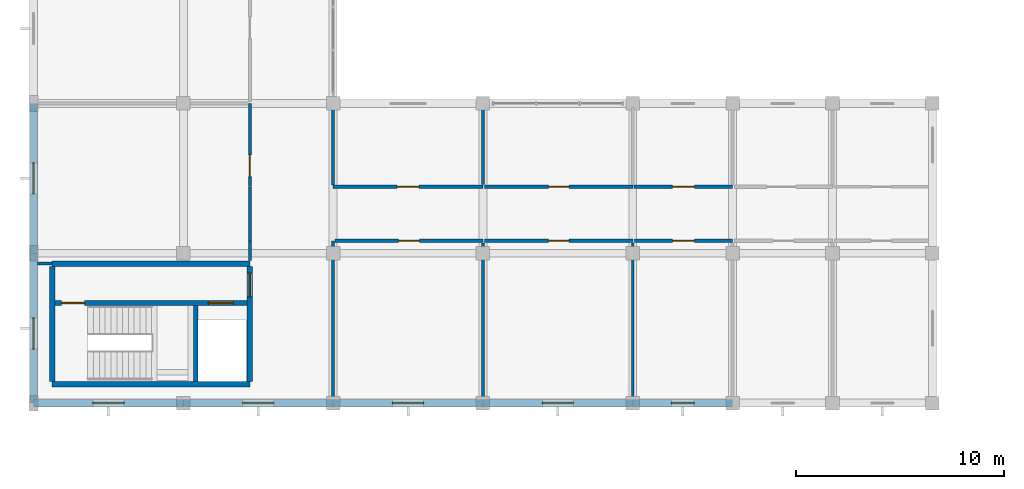
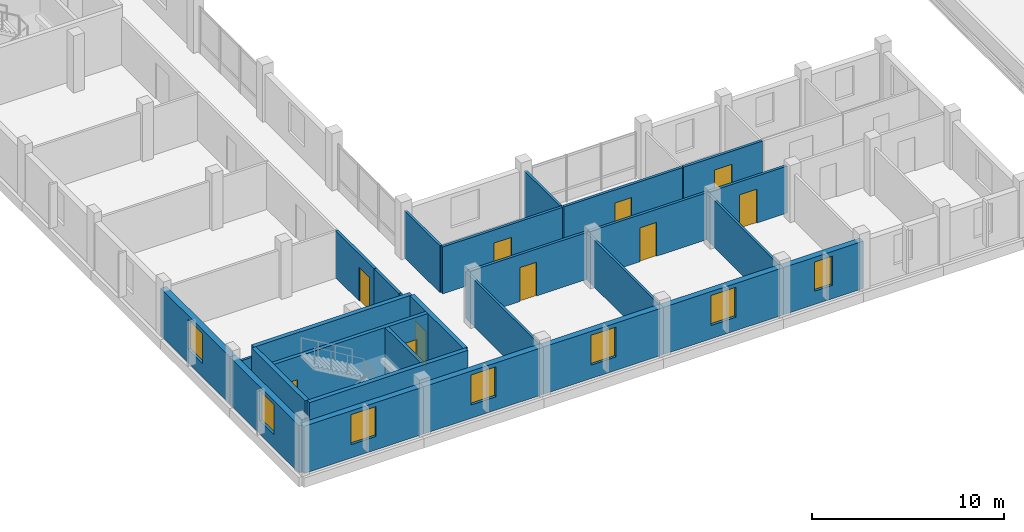
# One storey, part 71 of 93: 28 walls, 10 doors, 7 windows, 17 openings.
"""IFC4 building model written with IfcOpenShell, lengths in metres."""

from ifc_helpers import new_model, si_unit, direction, frame, frame_2d, origin, origin_with_axes, place, context, subcontext, project, spatial, rectangle, extrude, material, layer, layer_set, type_object, element, fill, save


model = new_model("IFC4")

# Units and contexts
model_context = context("Model", 3, precision=1e-05, world=origin(), true_north=direction((0.0, 1.0)))
body_context = subcontext(model_context, "Body", "Model", "MODEL_VIEW")
ifc_project = project(units=[si_unit("LENGTHUNIT", "METRE"), si_unit("AREAUNIT", "SQUARE_METRE"), si_unit("VOLUMEUNIT", "CUBIC_METRE"), si_unit("PLANEANGLEUNIT", "RADIAN"), si_unit("MASSUNIT", "GRAM", prefix="KILO")], contexts=[model_context])

# Site, building, storey
site_placement = place(None, origin())
site = spatial("IfcSite", under=ifc_project, at=site_placement, CompositionType="ELEMENT")
building_placement = place(site_placement, origin())
building = spatial("IfcBuilding", under=site, at=building_placement, Name="Zornivar Specialist Clinic", CompositionType="ELEMENT")
storey_placement = place(building_placement, frame((0.0, 0.0, 8.39990234375)))
storey = spatial("IfcBuildingStorey", under=building, at=storey_placement, Name="L02", CompositionType="ELEMENT", Elevation=8.39990234375)

# Wall, opening, window
ifc_material_1 = material(Name="Masonry Red-Ochre Brick and Stone Insulated Wall", Category="masonry")
ifc_layer_1 = layer(ifc_material_1, 0.360107421875)
ifc_layer_set_1 = layer_set([ifc_layer_1], Name="Masonry Red-Ochre Brick and Stone Insulated Wall")
wall_type_1 = type_object("IfcWallType", Name="EW-BRICK-360", PredefinedType="SOLIDWALL", material=ifc_layer_set_1)
wall_1_placement = place(storey_placement, origin_with_axes())
wall_1 = element("IfcWall", 1, at=wall_1_placement, inside=storey, type_object=wall_type_1, Name="ew:V2:L02:00", PredefinedType="SOLIDWALL", context=body_context, shape_type="SweptSolid", body=[
    extrude(rectangle(XDim=7.199951171875, YDim=0.360107421875, at=frame_2d((3.60009765625, 0.0))), origin(), (0.0, 0.0, 1.0), 3.0),
])
opening_1_placement = place(wall_1_placement, frame((2.85009765625, 0.0, 0.85009765625)))
opening_1 = element("IfcOpeningElement", 2, at=opening_1_placement, cuts=wall_1, Name="Opening W-05", PredefinedType="OPENING", context=body_context, shape_type="SweptSolid", body=[
    extrude(rectangle(XDim=1.5, YDim=1.89990234375, at=frame_2d((0.75, 0.949951171875))), frame((0.0, 0.18994140625, 0.0), z_axis=(0.0, -1.0, 0.0), x_axis=(1.0, 0.0, 0.0)), (0.0, 0.0, 1.0), 0.380126953125),
])
ifc_material_2 = material(Name="Triple-Glazed Aluminium-Timber Window Glass", Category="wood")
window_type_1 = type_object("IfcWindowType", Name="WIN-OUTP-STREET-1500x1900", PartitioningType="SINGLE_PANEL", PredefinedType="WINDOW", material=ifc_material_2)
window_1_placement = place(opening_1_placement, origin())
window_1 = element("IfcWindow", 3, at=window_1_placement, inside=storey, type_object=window_type_1, Name="win:V2:L02:00", OverallHeight=1.89990234375, OverallWidth=1.5, PartitioningType="SINGLE_PANEL", PredefinedType="WINDOW", context=body_context, shape_type="SweptSolid", body=[
    extrude(rectangle(XDim=1.5, YDim=1.89990234375, at=frame_2d((0.75, 0.949951171875))), frame((0.0, 0.030029296875, 0.0), z_axis=(0.0, -1.0, 0.0), x_axis=(1.0, 0.0, 0.0)), (0.0, 0.0, 1.0), 0.06005859375),
])
fill(opening_1, window_1)

wall_2_placement = place(storey_placement, frame((7.199951171875, 0.0, 0.0), z_axis=(0.0, 0.0, 1.0), x_axis=(1.0, 0.0, 0.0)))
wall_2 = element("IfcWall", 4, at=wall_2_placement, inside=storey, type_object=wall_type_1, Name="ew:V2:L02:01", PredefinedType="SOLIDWALL", context=body_context, shape_type="SweptSolid", body=[
    extrude(rectangle(XDim=7.199951171875, YDim=0.360107421875, at=frame_2d((3.60009765625, 0.0))), origin(), (0.0, 0.0, 1.0), 3.0),
])
opening_2_placement = place(wall_2_placement, frame((2.85009765625, 0.0, 0.85009765625)))
opening_2 = element("IfcOpeningElement", 5, at=opening_2_placement, cuts=wall_2, Name="Opening W-05", PredefinedType="OPENING", context=body_context, shape_type="SweptSolid", body=[
    extrude(rectangle(XDim=1.5, YDim=1.89990234375, at=frame_2d((0.75, 0.949951171875))), frame((0.0, 0.18994140625, 0.0), z_axis=(0.0, -1.0, 0.0), x_axis=(1.0, 0.0, 0.0)), (0.0, 0.0, 1.0), 0.380126953125),
])
window_2_placement = place(opening_2_placement, origin())
window_2 = element("IfcWindow", 6, at=window_2_placement, inside=storey, type_object=window_type_1, Name="win:V2:L02:01", OverallHeight=1.89990234375, OverallWidth=1.5, PartitioningType="SINGLE_PANEL", PredefinedType="WINDOW", context=body_context, shape_type="SweptSolid", body=[
    extrude(rectangle(XDim=1.5, YDim=1.89990234375, at=frame_2d((0.75, 0.949951171875))), frame((0.0, 0.030029296875, 0.0), z_axis=(0.0, -1.0, 0.0), x_axis=(1.0, 0.0, 0.0)), (0.0, 0.0, 1.0), 0.06005859375),
])
fill(opening_2, window_2)

wall_3_placement = place(storey_placement, frame((14.39990234375, 0.0, 0.0), z_axis=(0.0, 0.0, 1.0), x_axis=(1.0, 0.0, 0.0)))
wall_3 = element("IfcWall", 7, at=wall_3_placement, inside=storey, type_object=wall_type_1, Name="ew:V2:L02:02", PredefinedType="SOLIDWALL", context=body_context, shape_type="SweptSolid", body=[
    extrude(rectangle(XDim=7.2001953125, YDim=0.360107421875, at=frame_2d((3.60009765625, 0.0))), origin(), (0.0, 0.0, 1.0), 3.0),
])
opening_3_placement = place(wall_3_placement, frame((2.85009765625, 0.0, 0.85009765625)))
opening_3 = element("IfcOpeningElement", 8, at=opening_3_placement, cuts=wall_3, Name="Opening W-05", PredefinedType="OPENING", context=body_context, shape_type="SweptSolid", body=[
    extrude(rectangle(XDim=1.5, YDim=1.89990234375, at=frame_2d((0.75, 0.949951171875))), frame((0.0, 0.18994140625, 0.0), z_axis=(0.0, -1.0, 0.0), x_axis=(1.0, 0.0, 0.0)), (0.0, 0.0, 1.0), 0.380126953125),
])
window_3_placement = place(opening_3_placement, origin())
window_3 = element("IfcWindow", 9, at=window_3_placement, inside=storey, type_object=window_type_1, Name="win:V2:L02:02", OverallHeight=1.89990234375, OverallWidth=1.5, PartitioningType="SINGLE_PANEL", PredefinedType="WINDOW", context=body_context, shape_type="SweptSolid", body=[
    extrude(rectangle(XDim=1.5, YDim=1.89990234375, at=frame_2d((0.75, 0.949951171875))), frame((0.0, 0.030029296875, 0.0), z_axis=(0.0, -1.0, 0.0), x_axis=(1.0, 0.0, 0.0)), (0.0, 0.0, 1.0), 0.06005859375),
])
fill(opening_3, window_3)

wall_4_placement = place(storey_placement, frame((21.60009765625, 0.0, 0.0), z_axis=(0.0, 0.0, 1.0), x_axis=(1.0, 0.0, 0.0)))
wall_4 = element("IfcWall", 10, at=wall_4_placement, inside=storey, type_object=wall_type_1, Name="ew:V2:L02:03", PredefinedType="SOLIDWALL", context=body_context, shape_type="SweptSolid", body=[
    extrude(rectangle(XDim=7.199951171875, YDim=0.360107421875, at=frame_2d((3.60009765625, 0.0))), origin(), (0.0, 0.0, 1.0), 3.0),
])
opening_4_placement = place(wall_4_placement, frame((2.85009765625, 0.0, 0.85009765625)))
opening_4 = element("IfcOpeningElement", 11, at=opening_4_placement, cuts=wall_4, Name="Opening W-05", PredefinedType="OPENING", context=body_context, shape_type="SweptSolid", body=[
    extrude(rectangle(XDim=1.5, YDim=1.89990234375, at=frame_2d((0.75, 0.949951171875))), frame((0.0, 0.18994140625, 0.0), z_axis=(0.0, -1.0, 0.0), x_axis=(1.0, 0.0, 0.0)), (0.0, 0.0, 1.0), 0.380126953125),
])
window_4_placement = place(opening_4_placement, origin())
window_4 = element("IfcWindow", 12, at=window_4_placement, inside=storey, type_object=window_type_1, Name="win:V2:L02:03", OverallHeight=1.89990234375, OverallWidth=1.5, PartitioningType="SINGLE_PANEL", PredefinedType="WINDOW", context=body_context, shape_type="SweptSolid", body=[
    extrude(rectangle(XDim=1.5, YDim=1.89990234375, at=frame_2d((0.75, 0.949951171875))), frame((0.0, 0.030029296875, 0.0), z_axis=(0.0, -1.0, 0.0), x_axis=(1.0, 0.0, 0.0)), (0.0, 0.0, 1.0), 0.06005859375),
])
fill(opening_4, window_4)

wall_5_placement = place(storey_placement, frame((28.800048828125, 0.0, 0.0), z_axis=(0.0, 0.0, 1.0), x_axis=(1.0, 0.0, 0.0)))
wall_5 = element("IfcWall", 13, at=wall_5_placement, inside=storey, type_object=wall_type_1, Name="ew:V2:L02:04", PredefinedType="SOLIDWALL", context=body_context, shape_type="SweptSolid", body=[
    extrude(rectangle(XDim=4.800048828125, YDim=0.360107421875, at=frame_2d((2.39990234375, 0.0))), origin(), (0.0, 0.0, 1.0), 3.0),
])
opening_5_placement = place(wall_5_placement, frame((1.85009765625, 0.0, 0.85009765625)))
opening_5 = element("IfcOpeningElement", 14, at=opening_5_placement, cuts=wall_5, Name="Opening W-07", PredefinedType="OPENING", context=body_context, shape_type="SweptSolid", body=[
    extrude(rectangle(XDim=1.10009765625, YDim=1.85009765625, at=frame_2d((0.550048828125, 0.925048828125))), frame((0.0, 0.18994140625, 0.0), z_axis=(0.0, -1.0, 0.0), x_axis=(1.0, 0.0, 0.0)), (0.0, 0.0, 1.0), 0.380126953125),
])
ifc_material_3 = material(Name="Triple-Glazed Aluminium-Timber Window Glass", Category="wood")
window_type_2 = type_object("IfcWindowType", Name="WIN-OUTP-PIER-1100x1850", PartitioningType="SINGLE_PANEL", PredefinedType="WINDOW", material=ifc_material_3)
window_5_placement = place(opening_5_placement, origin())
window_5 = element("IfcWindow", 15, at=window_5_placement, inside=storey, type_object=window_type_2, Name="win:V2:L02:04", OverallHeight=1.85009765625, OverallWidth=1.10009765625, PartitioningType="SINGLE_PANEL", PredefinedType="WINDOW", context=body_context, shape_type="SweptSolid", body=[
    extrude(rectangle(XDim=1.10009765625, YDim=1.85009765625, at=frame_2d((0.550048828125, 0.925048828125))), frame((0.0, 0.030029296875, 0.0), z_axis=(0.0, -1.0, 0.0), x_axis=(1.0, 0.0, 0.0)), (0.0, 0.0, 1.0), 0.06005859375),
])
fill(opening_5, window_5)

wall_6_placement = place(storey_placement, frame((0.0, 14.39990234375, 0.0), z_axis=(0.0, 0.0, 1.0), x_axis=(0.0, -1.0, 0.0)))
wall_6 = element("IfcWall", 16, at=wall_6_placement, inside=storey, type_object=wall_type_1, Name="ew:V2:L02:28", PredefinedType="SOLIDWALL", context=body_context, shape_type="SweptSolid", body=[
    extrude(rectangle(XDim=7.199951171875, YDim=0.360107421875, at=frame_2d((3.60009765625, 0.0))), origin(), (0.0, 0.0, 1.0), 3.0),
])
opening_6_placement = place(wall_6_placement, frame((2.85009765625, 0.0, 0.85009765625)))
opening_6 = element("IfcOpeningElement", 17, at=opening_6_placement, cuts=wall_6, Name="Opening W-05", PredefinedType="OPENING", context=body_context, shape_type="SweptSolid", body=[
    extrude(rectangle(XDim=1.5, YDim=1.89990234375, at=frame_2d((0.75, 0.949951171875))), frame((0.0, 0.18994140625, 0.0), z_axis=(0.0, -1.0, 0.0), x_axis=(1.0, 0.0, 0.0)), (0.0, 0.0, 1.0), 0.380126953125),
])
window_6_placement = place(opening_6_placement, origin())
window_6 = element("IfcWindow", 18, at=window_6_placement, inside=storey, type_object=window_type_1, Name="win:V2:L02:28", OverallHeight=1.89990234375, OverallWidth=1.5, PartitioningType="SINGLE_PANEL", PredefinedType="WINDOW", context=body_context, shape_type="SweptSolid", body=[
    extrude(rectangle(XDim=1.5, YDim=1.89990234375, at=frame_2d((0.75, 0.949951171875))), frame((0.0, 0.030029296875, 0.0), z_axis=(0.0, -1.0, 0.0), x_axis=(1.0, 0.0, 0.0)), (0.0, 0.0, 1.0), 0.06005859375),
])
fill(opening_6, window_6)

wall_7_placement = place(storey_placement, frame((0.0, 7.199951171875, 0.0), z_axis=(0.0, 0.0, 1.0), x_axis=(0.0, -1.0, 0.0)))
wall_7 = element("IfcWall", 19, at=wall_7_placement, inside=storey, type_object=wall_type_1, Name="ew:V2:L02:29", PredefinedType="SOLIDWALL", context=body_context, shape_type="SweptSolid", body=[
    extrude(rectangle(XDim=7.199951171875, YDim=0.360107421875, at=frame_2d((3.60009765625, 0.0))), origin(), (0.0, 0.0, 1.0), 3.0),
])
opening_7_placement = place(wall_7_placement, frame((3.10009765625, 0.0, 0.85009765625)))
opening_7 = element("IfcOpeningElement", 20, at=opening_7_placement, cuts=wall_7, Name="Opening W-05", PredefinedType="OPENING", context=body_context, shape_type="SweptSolid", body=[
    extrude(rectangle(XDim=1.5, YDim=1.89990234375, at=frame_2d((0.75, 0.949951171875))), frame((0.0, 0.18994140625, 0.0), z_axis=(0.0, -1.0, 0.0), x_axis=(1.0, 0.0, 0.0)), (0.0, 0.0, 1.0), 0.380126953125),
])
window_7_placement = place(opening_7_placement, origin())
window_7 = element("IfcWindow", 21, at=window_7_placement, inside=storey, type_object=window_type_1, Name="win:V2:L02:29", OverallHeight=1.89990234375, OverallWidth=1.5, PartitioningType="SINGLE_PANEL", PredefinedType="WINDOW", context=body_context, shape_type="SweptSolid", body=[
    extrude(rectangle(XDim=1.5, YDim=1.89990234375, at=frame_2d((0.75, 0.949951171875))), frame((0.0, 0.030029296875, 0.0), z_axis=(0.0, -1.0, 0.0), x_axis=(1.0, 0.0, 0.0)), (0.0, 0.0, 1.0), 0.06005859375),
])
fill(opening_7, window_7)

# Walls
ifc_material_4 = material(Name="Acoustic Clinical Stud Partition")
ifc_layer_2 = layer(ifc_material_4, 0.139892578125)
ifc_layer_set_2 = layer_set([ifc_layer_2], Name="Acoustic Clinical Stud Partition")
wall_type_2 = type_object("IfcWallType", Name="IW-CLIN-140", PredefinedType="PARTITIONING", material=ifc_layer_set_2)
wall_8_placement = place(storey_placement, frame((0.89990234375, 6.699951171875, 0.0), z_axis=(0.0, 0.0, 1.0), x_axis=(-1.0, 0.0, 0.0)))
element("IfcWall", 22, at=wall_8_placement, inside=storey, type_object=wall_type_2, Name="iw:L02:050", PredefinedType="PARTITIONING", context=body_context, shape_type="SweptSolid", body=[
    extrude(rectangle(XDim=0.704833984375, YDim=0.139892578125, at=frame_2d((0.3525390625, 0.0))), origin(), (0.0, 0.0, 1.0), 2.97998046875),
])
wall_9_placement = place(storey_placement, frame((14.39990234375, 0.195068359375, 0.0), z_axis=(0.0, 0.0, 1.0), x_axis=(0.0, 1.0, 0.0)))
element("IfcWall", 23, at=wall_9_placement, inside=storey, type_object=wall_type_2, Name="iw:L02:064", PredefinedType="PARTITIONING", context=body_context, shape_type="SweptSolid", body=[
    extrude(rectangle(XDim=7.60498046875, YDim=0.139892578125, at=frame_2d((3.802490234375, 0.0))), origin(), (0.0, 0.0, 1.0), 2.97998046875),
])
wall_10_placement = place(storey_placement, frame((21.60009765625, 7.7060546875, 0.0), z_axis=(0.0, 0.0, 1.0), x_axis=(0.0, -1.0, 0.0)))
element("IfcWall", 24, at=wall_10_placement, inside=storey, type_object=wall_type_2, Name="iw:L02:066", PredefinedType="PARTITIONING", context=body_context, shape_type="SweptSolid", body=[
    extrude(rectangle(XDim=7.510986328125, YDim=0.139892578125, at=frame_2d((3.75537109375, 0.0))), origin(), (0.0, 0.0, 1.0), 2.97998046875),
])
for number, where, z_axis, x_axis, name in (
    (25, (14.39990234375, 10.493896484375, 0.0), (0.0, 0.0, 1.0), (0.0, 1.0, 0.0), "iw:L02:068"),
    (26, (21.60009765625, 14.205078125, 0.0), (0.0, 0.0, 1.0), (0.0, -1.0, 0.0), "iw:L02:069"),
):
    element("IfcWall", number, at=place(storey_placement, frame(where, z_axis=z_axis, x_axis=x_axis)), inside=storey, type_object=wall_type_2, Name=name, PredefinedType="PARTITIONING", context=body_context, shape_type="SweptSolid", body=[
        extrude(rectangle(XDim=3.711181640625, YDim=0.139892578125, at=frame_2d((1.85546875, 0.0))), origin(), (0.0, 0.0, 1.0), 2.97998046875),
    ])
wall_11_placement = place(storey_placement, frame((28.800048828125, 7.7060546875, 0.0), z_axis=(0.0, 0.0, 1.0), x_axis=(0.0, -1.0, 0.0)))
element("IfcWall", 27, at=wall_11_placement, inside=storey, type_object=wall_type_2, Name="iw:L02:071", PredefinedType="PARTITIONING", context=body_context, shape_type="SweptSolid", body=[
    extrude(rectangle(XDim=7.510986328125, YDim=0.139892578125, at=frame_2d((3.75537109375, 0.0))), origin(), (0.0, 0.0, 1.0), 2.97998046875),
])

# Wall, opening, door
ifc_material_5 = material(Name="Gypsum Fire-Rated Double Stud Partition")
ifc_layer_3 = layer(ifc_material_5, 0.159912109375)
ifc_layer_set_3 = layer_set([ifc_layer_3], Name="Gypsum Fire-Rated Double Stud Partition")
wall_type_3 = type_object("IfcWallType", Name="IW-CORR-EI60-160", PredefinedType="PARTITIONING", material=ifc_layer_set_3)
wall_12_placement = place(storey_placement, frame((10.39990234375, 14.39990234375, 0.0), z_axis=(0.0, 0.0, 1.0), x_axis=(0.0, -1.0, 0.0)))
wall_12 = element("IfcWall", 28, at=wall_12_placement, inside=storey, type_object=wall_type_3, Name="iw:L02:047", PredefinedType="PARTITIONING", context=body_context, shape_type="SweptSolid", body=[
    extrude(rectangle(XDim=4.0, YDim=0.159912109375, at=frame_2d((2.0, 0.0))), origin(), (0.0, 0.0, 1.0), 2.97998046875),
])
opening_8_placement = place(wall_12_placement, frame((2.469970703125, 0.0, 0.0)))
opening_8 = element("IfcOpeningElement", 29, at=opening_8_placement, cuts=wall_12, Name="Opening ID-03", PredefinedType="OPENING", context=body_context, shape_type="SweptSolid", body=[
    extrude(rectangle(XDim=1.050048828125, YDim=2.14990234375, at=frame_2d((0.52490234375, 1.074951171875))), frame((0.0, 0.08984375, 0.0), z_axis=(0.0, -1.0, 0.0), x_axis=(1.0, 0.0, 0.0)), (0.0, 0.0, 1.0), 0.179931640625),
])
ifc_material_6 = material(Name="Solid-Core Hygienic Laminate Timber Door", Category="wood")
door_type_1 = type_object("IfcDoorType", Name="ID-CONS-1050x2150", OperationType="NOTDEFINED", PredefinedType="DOOR", material=ifc_material_6)
door_1_placement = place(opening_8_placement, origin())
door_1 = element("IfcDoor", 30, at=door_1_placement, inside=storey, type_object=door_type_1, Name="door:space:V2:L02:rm:00", OperationType="SINGLE_SWING_LEFT", OverallHeight=2.14990234375, OverallWidth=1.050048828125, PredefinedType="DOOR", context=body_context, shape_type="SweptSolid", body=[
    extrude(rectangle(XDim=1.050048828125, YDim=2.14990234375, at=frame_2d((0.52490234375, 1.074951171875))), frame((0.0, 0.02490234375, 0.0), z_axis=(0.0, -1.0, 0.0), x_axis=(1.0, 0.0, 0.0)), (0.0, 0.0, 1.0), 0.050048828125),
])
fill(opening_8, door_1)

# Walls
wall_13_placement = place(storey_placement, frame((10.39990234375, 10.387939453125, 0.0), z_axis=(0.0, 0.0, 1.0), x_axis=(0.0, -1.0, 0.0)))
element("IfcWall", 31, at=wall_13_placement, inside=storey, type_object=wall_type_3, Name="iw:L02:048", PredefinedType="PARTITIONING", context=body_context, shape_type="SweptSolid", body=[
    extrude(rectangle(XDim=2.587890625, YDim=0.159912109375, at=frame_2d((1.2939453125, 0.0))), origin(), (0.0, 0.0, 1.0), 2.97998046875),
])
wall_14_placement = place(storey_placement, frame((10.39990234375, 7.7880859375, 0.0), z_axis=(0.0, 0.0, 1.0), x_axis=(0.0, -1.0, 0.0)))
element("IfcWall", 32, at=wall_14_placement, inside=storey, type_object=wall_type_3, Name="iw:L02:049", PredefinedType="PARTITIONING", context=body_context, shape_type="SweptSolid", body=[
    extrude(rectangle(XDim=0.943115234375, YDim=0.159912109375, at=frame_2d((0.4716796875, 0.0))), origin(), (0.0, 0.0, 1.0), 2.97998046875),
])

# Wall, opening, door
wall_15_placement = place(storey_placement, frame((14.48388671875, 7.800048828125, 0.0), z_axis=(0.0, 0.0, 1.0), x_axis=(1.0, 0.0, 0.0)))
wall_15 = element("IfcWall", 33, at=wall_15_placement, inside=storey, type_object=wall_type_3, Name="iw:L02:065", PredefinedType="PARTITIONING", context=body_context, shape_type="SweptSolid", body=[
    extrude(rectangle(XDim=7.1162109375, YDim=0.159912109375, at=frame_2d((3.55810546875, 0.0))), origin(), (0.0, 0.0, 1.0), 2.97998046875),
])
opening_9_placement = place(wall_15_placement, frame((3.05810546875, 0.0, 0.0)))
opening_9 = element("IfcOpeningElement", 34, at=opening_9_placement, cuts=wall_15, Name="Opening ID-04", PredefinedType="OPENING", context=body_context, shape_type="SweptSolid", body=[
    extrude(rectangle(XDim=1.0, YDim=2.14990234375, at=frame_2d((0.5, 1.074951171875))), frame((0.0, 0.08984375, 0.0), z_axis=(0.0, -1.0, 0.0), x_axis=(1.0, 0.0, 0.0)), (0.0, 0.0, 1.0), 0.179931640625),
])
ifc_material_7 = material(Name="Solid-Core Hygienic Laminate Timber Door", Category="wood")
door_type_2 = type_object("IfcDoorType", Name="ID-EXAM-1000x2150", OperationType="NOTDEFINED", PredefinedType="DOOR", material=ifc_material_7)
door_2_placement = place(opening_9_placement, origin())
door_2 = element("IfcDoor", 35, at=door_2_placement, inside=storey, type_object=door_type_2, Name="door:space:V2:L02:rm:07", OperationType="SINGLE_SWING_RIGHT", OverallHeight=2.14990234375, OverallWidth=1.0, PredefinedType="DOOR", context=body_context, shape_type="SweptSolid", body=[
    extrude(rectangle(XDim=1.0, YDim=2.14990234375, at=frame_2d((0.5, 1.074951171875))), frame((0.0, 0.02490234375, 0.0), z_axis=(0.0, -1.0, 0.0), x_axis=(1.0, 0.0, 0.0)), (0.0, 0.0, 1.0), 0.050048828125),
])
fill(opening_9, door_2)

wall_16_placement = place(storey_placement, frame((21.60009765625, 10.39990234375, 0.0), z_axis=(0.0, 0.0, 1.0), x_axis=(-1.0, 0.0, 0.0)))
wall_16 = element("IfcWall", 36, at=wall_16_placement, inside=storey, type_object=wall_type_3, Name="iw:L02:067", PredefinedType="PARTITIONING", context=body_context, shape_type="SweptSolid", body=[
    extrude(rectangle(XDim=7.2001953125, YDim=0.159912109375, at=frame_2d((3.60009765625, 0.0))), origin(), (0.0, 0.0, 1.0), 2.97998046875),
])
opening_10_placement = place(wall_16_placement, frame((3.074951171875, 0.0, 0.0)))
opening_10 = element("IfcOpeningElement", 37, at=opening_10_placement, cuts=wall_16, Name="Opening ID-03", PredefinedType="OPENING", context=body_context, shape_type="SweptSolid", body=[
    extrude(rectangle(XDim=1.050048828125, YDim=2.14990234375, at=frame_2d((0.52490234375, 1.074951171875))), frame((0.0, 0.08984375, 0.0), z_axis=(0.0, -1.0, 0.0), x_axis=(1.0, 0.0, 0.0)), (0.0, 0.0, 1.0), 0.179931640625),
])
door_3_placement = place(opening_10_placement, origin())
door_3 = element("IfcDoor", 38, at=door_3_placement, inside=storey, type_object=door_type_1, Name="door:space:V2:L02:rm:08", OperationType="SINGLE_SWING_LEFT", OverallHeight=2.14990234375, OverallWidth=1.050048828125, PredefinedType="DOOR", context=body_context, shape_type="SweptSolid", body=[
    extrude(rectangle(XDim=1.050048828125, YDim=2.14990234375, at=frame_2d((0.52490234375, 1.074951171875))), frame((0.0, 0.02490234375, 0.0), z_axis=(0.0, -1.0, 0.0), x_axis=(1.0, 0.0, 0.0)), (0.0, 0.0, 1.0), 0.050048828125),
])
fill(opening_10, door_3)

wall_17_placement = place(storey_placement, frame((21.68408203125, 7.800048828125, 0.0), z_axis=(0.0, 0.0, 1.0), x_axis=(1.0, 0.0, 0.0)))
wall_17 = element("IfcWall", 39, at=wall_17_placement, inside=storey, type_object=wall_type_3, Name="iw:L02:070", PredefinedType="PARTITIONING", context=body_context, shape_type="SweptSolid", body=[
    extrude(rectangle(XDim=7.115966796875, YDim=0.159912109375, at=frame_2d((3.55810546875, 0.0))), origin(), (0.0, 0.0, 1.0), 2.97998046875),
])
opening_11_placement = place(wall_17_placement, frame((3.05810546875, 0.0, 0.0)))
opening_11 = element("IfcOpeningElement", 40, at=opening_11_placement, cuts=wall_17, Name="Opening ID-04", PredefinedType="OPENING", context=body_context, shape_type="SweptSolid", body=[
    extrude(rectangle(XDim=1.0, YDim=2.14990234375, at=frame_2d((0.5, 1.074951171875))), frame((0.0, 0.08984375, 0.0), z_axis=(0.0, -1.0, 0.0), x_axis=(1.0, 0.0, 0.0)), (0.0, 0.0, 1.0), 0.179931640625),
])
door_4_placement = place(opening_11_placement, origin())
door_4 = element("IfcDoor", 41, at=door_4_placement, inside=storey, type_object=door_type_2, Name="door:space:V2:L02:rm:09", OperationType="SINGLE_SWING_RIGHT", OverallHeight=2.14990234375, OverallWidth=1.0, PredefinedType="DOOR", context=body_context, shape_type="SweptSolid", body=[
    extrude(rectangle(XDim=1.0, YDim=2.14990234375, at=frame_2d((0.5, 1.074951171875))), frame((0.0, 0.02490234375, 0.0), z_axis=(0.0, -1.0, 0.0), x_axis=(1.0, 0.0, 0.0)), (0.0, 0.0, 1.0), 0.050048828125),
])
fill(opening_11, door_4)

wall_18_placement = place(storey_placement, frame((28.800048828125, 10.39990234375, 0.0), z_axis=(0.0, 0.0, 1.0), x_axis=(-1.0, 0.0, 0.0)))
wall_18 = element("IfcWall", 42, at=wall_18_placement, inside=storey, type_object=wall_type_3, Name="iw:L02:072", PredefinedType="PARTITIONING", context=body_context, shape_type="SweptSolid", body=[
    extrude(rectangle(XDim=7.115966796875, YDim=0.159912109375, at=frame_2d((3.55810546875, 0.0))), origin(), (0.0, 0.0, 1.0), 2.97998046875),
])
opening_12_placement = place(wall_18_placement, frame((3.05810546875, 0.0, 0.0)))
opening_12 = element("IfcOpeningElement", 43, at=opening_12_placement, cuts=wall_18, Name="Opening ID-04", PredefinedType="OPENING", context=body_context, shape_type="SweptSolid", body=[
    extrude(rectangle(XDim=1.0, YDim=2.14990234375, at=frame_2d((0.5, 1.074951171875))), frame((0.0, 0.08984375, 0.0), z_axis=(0.0, -1.0, 0.0), x_axis=(1.0, 0.0, 0.0)), (0.0, 0.0, 1.0), 0.179931640625),
])
door_5_placement = place(opening_12_placement, origin())
door_5 = element("IfcDoor", 44, at=door_5_placement, inside=storey, type_object=door_type_2, Name="door:space:V2:L02:rm:10", OperationType="SINGLE_SWING_LEFT", OverallHeight=2.14990234375, OverallWidth=1.0, PredefinedType="DOOR", context=body_context, shape_type="SweptSolid", body=[
    extrude(rectangle(XDim=1.0, YDim=2.14990234375, at=frame_2d((0.5, 1.074951171875))), frame((0.0, 0.02490234375, 0.0), z_axis=(0.0, -1.0, 0.0), x_axis=(1.0, 0.0, 0.0)), (0.0, 0.0, 1.0), 0.050048828125),
])
fill(opening_12, door_5)

wall_19_placement = place(storey_placement, frame((28.884033203125, 7.800048828125, 0.0), z_axis=(0.0, 0.0, 1.0), x_axis=(1.0, 0.0, 0.0)))
wall_19 = element("IfcWall", 45, at=wall_19_placement, inside=storey, type_object=wall_type_3, Name="iw:L02:074", PredefinedType="PARTITIONING", context=body_context, shape_type="SweptSolid", body=[
    extrude(rectangle(XDim=4.716064453125, YDim=0.159912109375, at=frame_2d((2.35791015625, 0.0))), origin(), (0.0, 0.0, 1.0), 2.97998046875),
])
opening_13_placement = place(wall_19_placement, frame((1.8330078125, 0.0, 0.0)))
opening_13 = element("IfcOpeningElement", 46, at=opening_13_placement, cuts=wall_19, Name="Opening ID-03", PredefinedType="OPENING", context=body_context, shape_type="SweptSolid", body=[
    extrude(rectangle(XDim=1.050048828125, YDim=2.14990234375, at=frame_2d((0.52490234375, 1.074951171875))), frame((0.0, 0.08984375, 0.0), z_axis=(0.0, -1.0, 0.0), x_axis=(1.0, 0.0, 0.0)), (0.0, 0.0, 1.0), 0.179931640625),
])
door_6_placement = place(opening_13_placement, origin())
door_6 = element("IfcDoor", 47, at=door_6_placement, inside=storey, type_object=door_type_1, Name="door:space:V2:L02:rm:11", OperationType="SINGLE_SWING_RIGHT", OverallHeight=2.14990234375, OverallWidth=1.050048828125, PredefinedType="DOOR", context=body_context, shape_type="SweptSolid", body=[
    extrude(rectangle(XDim=1.050048828125, YDim=2.14990234375, at=frame_2d((0.52490234375, 1.074951171875))), frame((0.0, 0.02490234375, 0.0), z_axis=(0.0, -1.0, 0.0), x_axis=(1.0, 0.0, 0.0)), (0.0, 0.0, 1.0), 0.050048828125),
])
fill(opening_13, door_6)

wall_20_placement = place(storey_placement, frame((33.60009765625, 10.39990234375, 0.0), z_axis=(0.0, 0.0, 1.0), x_axis=(-1.0, 0.0, 0.0)))
wall_20 = element("IfcWall", 48, at=wall_20_placement, inside=storey, type_object=wall_type_3, Name="iw:L02:076", PredefinedType="PARTITIONING", context=body_context, shape_type="SweptSolid", body=[
    extrude(rectangle(XDim=4.731201171875, YDim=0.159912109375, at=frame_2d((2.36572265625, 0.0))), origin(), (0.0, 0.0, 1.0), 2.97998046875),
])
opening_14_placement = place(wall_20_placement, frame((1.841064453125, 0.0, 0.0)))
opening_14 = element("IfcOpeningElement", 49, at=opening_14_placement, cuts=wall_20, Name="Opening ID-03", PredefinedType="OPENING", context=body_context, shape_type="SweptSolid", body=[
    extrude(rectangle(XDim=1.050048828125, YDim=2.14990234375, at=frame_2d((0.52490234375, 1.074951171875))), frame((0.0, 0.08984375, 0.0), z_axis=(0.0, -1.0, 0.0), x_axis=(1.0, 0.0, 0.0)), (0.0, 0.0, 1.0), 0.179931640625),
])
door_7_placement = place(opening_14_placement, origin())
door_7 = element("IfcDoor", 50, at=door_7_placement, inside=storey, type_object=door_type_1, Name="door:space:V2:L02:rm:12", OperationType="SINGLE_SWING_LEFT", OverallHeight=2.14990234375, OverallWidth=1.050048828125, PredefinedType="DOOR", context=body_context, shape_type="SweptSolid", body=[
    extrude(rectangle(XDim=1.050048828125, YDim=2.14990234375, at=frame_2d((0.52490234375, 1.074951171875))), frame((0.0, 0.02490234375, 0.0), z_axis=(0.0, -1.0, 0.0), x_axis=(1.0, 0.0, 0.0)), (0.0, 0.0, 1.0), 0.050048828125),
])
fill(opening_14, door_7)

# Wall
ifc_material_8 = material(Name="Concrete C35/45", Category="concrete")
ifc_layer_4 = layer(ifc_material_8, 0.260009765625)
ifc_layer_set_4 = layer_set([ifc_layer_4], Name="Concrete C35/45")
wall_type_4 = type_object("IfcWallType", Name="SW-CORE-260", PredefinedType="SHEAR", material=ifc_layer_set_4)
wall_21_placement = place(storey_placement, frame((0.89990234375, 0.89990234375, 0.0), z_axis=(0.0, 0.0, 1.0), x_axis=(1.0, 0.0, 0.0)))
element("IfcWall", 51, at=wall_21_placement, inside=storey, type_object=wall_type_4, Name="sw:C1:L02:w0", PredefinedType="SHEAR", context=body_context, shape_type="SweptSolid", body=[
    extrude(rectangle(XDim=9.5, YDim=0.260009765625, at=frame_2d((4.75, 0.0))), origin(), (0.0, 0.0, 1.0), 3.6201171875),
])

# Wall, opening, door
wall_22_placement = place(storey_placement, frame((10.39990234375, 1.030029296875, 0.0), z_axis=(0.0, 0.0, 1.0), x_axis=(0.0, 1.0, 0.0)))
wall_22 = element("IfcWall", 52, at=wall_22_placement, inside=storey, type_object=wall_type_4, Name="sw:C1:L02:w1", PredefinedType="SHEAR", context=body_context, shape_type="SweptSolid", body=[
    extrude(rectangle(XDim=5.5400390625, YDim=0.260009765625, at=frame_2d((2.77001953125, 0.0))), origin(), (0.0, 0.0, 1.0), 3.6201171875),
])
opening_15_placement = place(wall_22_placement, frame((4.070068359375, 0.0, 0.0)))
opening_15 = element("IfcOpeningElement", 53, at=opening_15_placement, cuts=wall_22, Name="Opening FD-03", PredefinedType="OPENING", context=body_context, shape_type="SweptSolid", body=[
    extrude(rectangle(XDim=1.14990234375, YDim=2.199951171875, at=frame_2d((0.574951171875, 1.10009765625))), frame((0.0, 0.139892578125, 0.0), z_axis=(0.0, -1.0, 0.0), x_axis=(1.0, 0.0, 0.0)), (0.0, 0.0, 1.0), 0.280029296875),
])
ifc_material_9 = material(Name="Solid-Core Hygienic Laminate Timber Door", Category="wood")
door_type_3 = type_object("IfcDoorType", Name="FD-LOBBY-UPPER-1150x2200", OperationType="NOTDEFINED", PredefinedType="DOOR", material=ifc_material_9)
door_8_placement = place(opening_15_placement, origin())
door_8 = element("IfcDoor", 54, at=door_8_placement, inside=storey, type_object=door_type_3, Name="door:C1:L02:lob", OperationType="SINGLE_SWING_RIGHT", OverallHeight=2.199951171875, OverallWidth=1.14990234375, PredefinedType="DOOR", context=body_context, shape_type="SweptSolid", body=[
    extrude(rectangle(XDim=1.14990234375, YDim=2.199951171875, at=frame_2d((0.574951171875, 1.10009765625))), frame((0.0, 0.02490234375, 0.0), z_axis=(0.0, -1.0, 0.0), x_axis=(1.0, 0.0, 0.0)), (0.0, 0.0, 1.0), 0.050048828125),
])
fill(opening_15, door_8)

# Walls
wall_23_placement = place(storey_placement, frame((10.39990234375, 6.699951171875, 0.0), z_axis=(0.0, 0.0, 1.0), x_axis=(-1.0, 0.0, 0.0)))
element("IfcWall", 55, at=wall_23_placement, inside=storey, type_object=wall_type_4, Name="sw:C1:L02:w2", PredefinedType="SHEAR", context=body_context, shape_type="SweptSolid", body=[
    extrude(rectangle(XDim=9.5, YDim=0.260009765625, at=frame_2d((4.75, 0.0))), origin(), (0.0, 0.0, 1.0), 3.6201171875),
])
wall_24_placement = place(storey_placement, frame((0.89990234375, 6.570068359375, 0.0), z_axis=(0.0, 0.0, 1.0), x_axis=(0.0, -1.0, 0.0)))
element("IfcWall", 56, at=wall_24_placement, inside=storey, type_object=wall_type_4, Name="sw:C1:L02:w3", PredefinedType="SHEAR", context=body_context, shape_type="SweptSolid", body=[
    extrude(rectangle(XDim=5.5400390625, YDim=0.260009765625, at=frame_2d((2.77001953125, 0.0))), origin(), (0.0, 0.0, 1.0), 3.6201171875),
])
ifc_material_10 = material(Name="Concrete C30/37", Category="concrete")
ifc_layer_5 = layer(ifc_material_10, 0.199951171875)
ifc_layer_set_5 = layer_set([ifc_layer_5], Name="Concrete C30/37")
wall_type_5 = type_object("IfcWallType", Name="SW-LIFT-200", PredefinedType="SHEAR", material=ifc_layer_set_5)
wall_25_placement = place(storey_placement, frame((7.800048828125, 1.030029296875, 0.0), z_axis=(0.0, 0.0, 1.0), x_axis=(0.0, 1.0, 0.0)))
element("IfcWall", 57, at=wall_25_placement, inside=storey, type_object=wall_type_5, Name="sw:C1:L02:sdiv", PredefinedType="SHEAR", context=body_context, shape_type="SweptSolid", body=[
    extrude(rectangle(XDim=3.669921875, YDim=0.199951171875, at=frame_2d((1.8349609375, 0.0))), origin(), (0.0, 0.0, 1.0), 3.6201171875),
])

# Wall, openings, doors
ifc_material_11 = material(Name="Concrete C30/37", Category="concrete")
ifc_layer_6 = layer(ifc_material_11, 0.219970703125)
ifc_layer_set_6 = layer_set([ifc_layer_6], Name="Concrete C30/37")
wall_type_6 = type_object("IfcWallType", Name="SW-SHAFT-220", PredefinedType="SHEAR", material=ifc_layer_set_6)
wall_26_placement = place(storey_placement, frame((1.030029296875, 4.81005859375, 0.0), z_axis=(0.0, 0.0, 1.0), x_axis=(1.0, 0.0, 0.0)))
wall_26 = element("IfcWall", 58, at=wall_26_placement, inside=storey, type_object=wall_type_6, Name="sw:C1:L02:stwall", PredefinedType="SHEAR", context=body_context, shape_type="SweptSolid", body=[
    extrude(rectangle(XDim=9.239990234375, YDim=0.219970703125, at=frame_2d((4.6201171875, 0.0))), origin(), (0.0, 0.0, 1.0), 3.6201171875),
])
opening_16_placement = place(wall_26_placement, frame((0.320068359375, 0.0, 0.0)))
opening_16 = element("IfcOpeningElement", 59, at=opening_16_placement, cuts=wall_26, Name="Opening FD-02", PredefinedType="OPENING", context=body_context, shape_type="SweptSolid", body=[
    extrude(rectangle(XDim=1.10009765625, YDim=2.14990234375, at=frame_2d((0.550048828125, 1.074951171875))), frame((0.0, 0.119873046875, 0.0), z_axis=(0.0, -1.0, 0.0), x_axis=(1.0, 0.0, 0.0)), (0.0, 0.0, 1.0), 0.239990234375),
])
opening_17_placement = place(wall_26_placement, frame((7.3701171875, 0.0, 0.0)))
opening_17 = element("IfcOpeningElement", 60, at=opening_17_placement, cuts=wall_26, Name="Opening LD-01", PredefinedType="OPENING", context=body_context, shape_type="SweptSolid", body=[
    extrude(rectangle(XDim=1.199951171875, YDim=2.199951171875, at=frame_2d((0.60009765625, 1.10009765625))), frame((0.0, 0.119873046875, 0.0), z_axis=(0.0, -1.0, 0.0), x_axis=(1.0, 0.0, 0.0)), (0.0, 0.0, 1.0), 0.239990234375),
])
ifc_material_12 = material(Name="Solid-Core Hygienic Laminate Timber Door", Category="wood")
door_type_4 = type_object("IfcDoorType", Name="FD-STAIR-1100x2150", OperationType="NOTDEFINED", PredefinedType="DOOR", material=ifc_material_12)
door_9_placement = place(opening_16_placement, origin())
door_9 = element("IfcDoor", 61, at=door_9_placement, inside=storey, type_object=door_type_4, Name="door:C1:L02:stair", OperationType="SINGLE_SWING_LEFT", OverallHeight=2.14990234375, OverallWidth=1.10009765625, PredefinedType="DOOR", context=body_context, shape_type="SweptSolid", body=[
    extrude(rectangle(XDim=1.10009765625, YDim=2.14990234375, at=frame_2d((0.550048828125, 1.074951171875))), frame((0.0, 0.02490234375, 0.0), z_axis=(0.0, -1.0, 0.0), x_axis=(1.0, 0.0, 0.0)), (0.0, 0.0, 1.0), 0.050048828125),
])
fill(opening_16, door_9)
ifc_material_13 = material(Name="Stainless Steel Lift Landing Sliding Door", Category="steel")
door_type_5 = type_object("IfcDoorType", Name="LD-LIFT-1200x2200", OperationType="NOTDEFINED", PredefinedType="DOOR", material=ifc_material_13)
door_10_placement = place(opening_17_placement, origin())
door_10 = element("IfcDoor", 62, at=door_10_placement, inside=storey, type_object=door_type_5, Name="door:C1:L02:lift", OperationType="DOUBLE_DOOR_SLIDING", OverallHeight=2.199951171875, OverallWidth=1.199951171875, PredefinedType="DOOR", context=body_context, shape_type="SweptSolid", body=[
    extrude(rectangle(XDim=1.199951171875, YDim=2.199951171875, at=frame_2d((0.60009765625, 1.10009765625))), frame((0.0, 0.02490234375, 0.0), z_axis=(0.0, -1.0, 0.0), x_axis=(1.0, 0.0, 0.0)), (0.0, 0.0, 1.0), 0.050048828125),
])
fill(opening_17, door_10)

save(model, "model.ifc")
